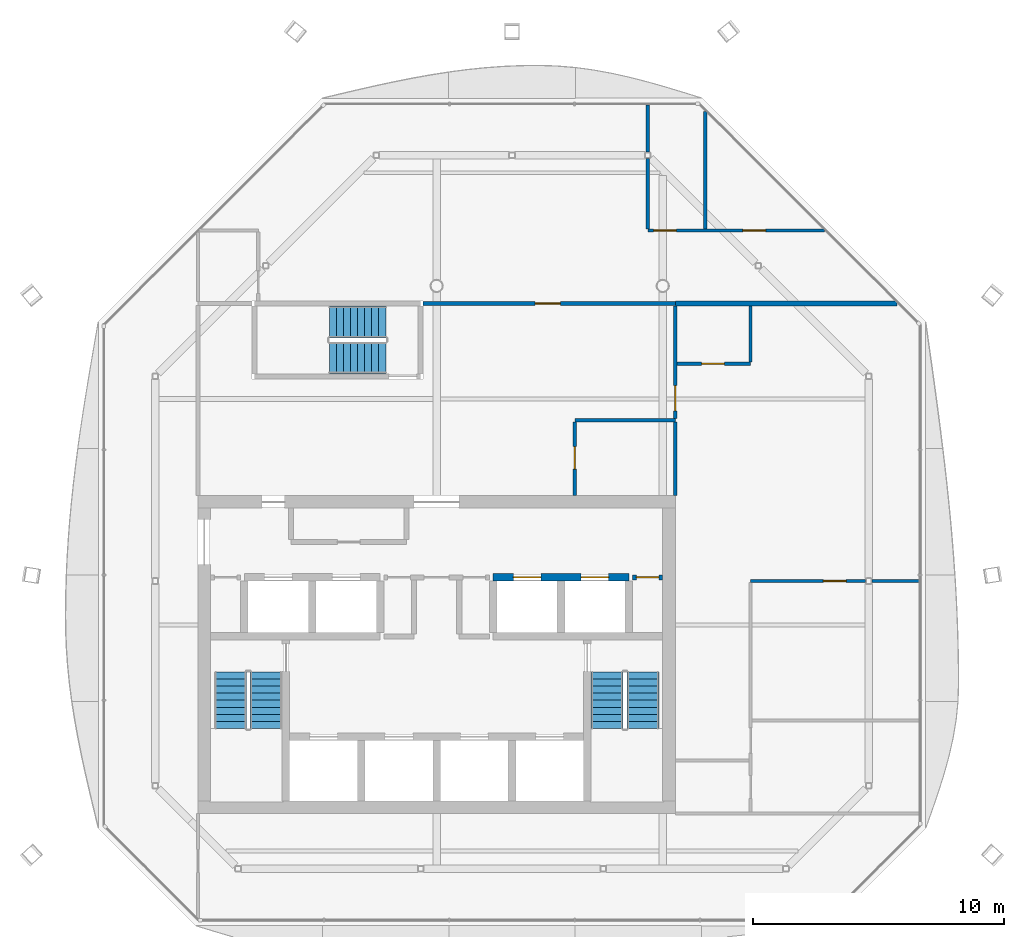
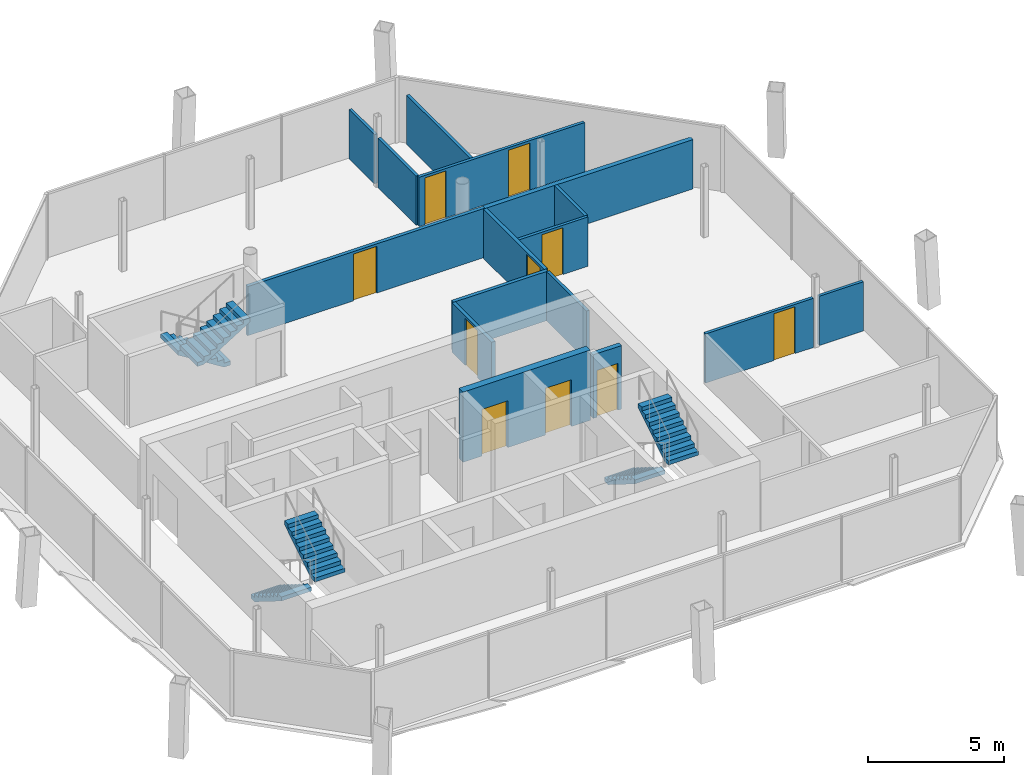
# One storey, part 11 of 14: 16 walls, 10 doors, 6 stair flights, 10 openings, 3 elements without a shape of their own.
"""IFC4 building model written with IfcOpenShell, lengths in metres."""

from ifc_helpers import new_model, si_unit, direction, frame, frame_2d, origin, place, context, subcontext, project, spatial, polyline, rectangle, outline, extrude, material, layer, layer_set, type_object, element, fill, aggregate, save


model = new_model("IFC4")

# Units and contexts
model_context = context("Model", 3, precision=1e-05, world=origin(), true_north=direction((0.0, 1.0)))
body_context = subcontext(model_context, "Body", "Model", "MODEL_VIEW")
ifc_project = project(units=[si_unit("LENGTHUNIT", "METRE"), si_unit("AREAUNIT", "SQUARE_METRE"), si_unit("VOLUMEUNIT", "CUBIC_METRE"), si_unit("PLANEANGLEUNIT", "RADIAN"), si_unit("MASSUNIT", "GRAM", prefix="KILO")], contexts=[model_context])

# Site, building, storey
site_placement = place(None, origin())
site = spatial("IfcSite", under=ifc_project, at=site_placement, CompositionType="ELEMENT")
building_placement = place(site_placement, origin())
building = spatial("IfcBuilding", under=site, at=building_placement, Name="Tskaro Facet Tower", CompositionType="ELEMENT")
storey_placement = place(building_placement, frame((0.0, 0.0, 272.10009765625)))
storey = spatial("IfcBuildingStorey", under=building, at=storey_placement, Name="L72", CompositionType="ELEMENT", Elevation=272.10009765625)

# Wall, openings, doors
ifc_material_1 = material(Name="Concrete C60/75", Category="concrete")
ifc_layer_1 = layer(ifc_material_1, 0.300048828125, Name="Concrete C60/75")
ifc_layer_set_1 = layer_set([ifc_layer_1], Name="Concrete C60/75")
wall_type_1 = type_object("IfcWallType", Name="CORE-SHAFT", PredefinedType="SHEAR", material=ifc_layer_set_1)
wall_1_placement = place(storey_placement, frame((2.25, -2.60009765625, 0.0), z_axis=(0.0, 0.0, 1.0), x_axis=(1.0, 0.0, 0.0)))
wall_1 = element("IfcWall", 1, at=wall_1_placement, inside=storey, type_object=wall_type_1, Name="Shaft wall W014", PredefinedType="SHEAR", context=body_context, shape_type="SweptSolid", body=[
    extrude(rectangle(XDim=5.39990234375, YDim=0.300048828125, at=frame_2d((2.699951171875, 0.0))), origin(), (0.0, 0.0, 1.0), 3.14990234375),
])
opening_1_placement = place(wall_1_placement, frame((0.800048828125, 0.0, 0.0)))
opening_1 = element("IfcOpeningElement", 2, at=opening_1_placement, cuts=wall_1, Name="Opening LD-HB3", PredefinedType="OPENING", context=body_context, shape_type="SweptSolid", body=[
    extrude(rectangle(XDim=1.10009765625, YDim=2.10009765625, at=frame_2d((0.550048828125, 1.050048828125))), frame((0.0, 0.159912109375, 0.0), z_axis=(0.0, -1.0, 0.0), x_axis=(1.0, 0.0, 0.0)), (0.0, 0.0, 1.0), 0.320068359375),
])
opening_2_placement = place(wall_1_placement, frame((3.5, 0.0, 0.0)))
opening_2 = element("IfcOpeningElement", 3, at=opening_2_placement, cuts=wall_1, Name="Opening LD-HB4", PredefinedType="OPENING", context=body_context, shape_type="SweptSolid", body=[
    extrude(rectangle(XDim=1.10009765625, YDim=2.10009765625, at=frame_2d((0.550048828125, 1.050048828125))), frame((0.0, 0.159912109375, 0.0), z_axis=(0.0, -1.0, 0.0), x_axis=(1.0, 0.0, 0.0)), (0.0, 0.0, 1.0), 0.320068359375),
])
ifc_material_2 = material(Name="Stainless steel", Category="steel")
door_type_1 = type_object("IfcDoorType", Name="D-LANDING", OperationType="NOTDEFINED", PredefinedType="DOOR", material=ifc_material_2)
door_1_placement = place(opening_1_placement, origin())
door_1 = element("IfcDoor", 4, at=door_1_placement, inside=storey, type_object=door_type_1, Name="Landing door HB3", OperationType="DOUBLE_DOOR_SLIDING", OverallHeight=2.10009765625, OverallWidth=1.10009765625, PredefinedType="DOOR", context=body_context, shape_type="SweptSolid", body=[
    extrude(rectangle(XDim=1.10009765625, YDim=2.10009765625, at=frame_2d((0.550048828125, 1.050048828125))), frame((0.0, 0.02490234375, 0.0), z_axis=(0.0, -1.0, 0.0), x_axis=(1.0, 0.0, 0.0)), (0.0, 0.0, 1.0), 0.050048828125),
])
fill(opening_1, door_1)
door_2_placement = place(opening_2_placement, origin())
door_2 = element("IfcDoor", 5, at=door_2_placement, inside=storey, type_object=door_type_1, Name="Landing door HB4", OperationType="DOUBLE_DOOR_SLIDING", OverallHeight=2.10009765625, OverallWidth=1.10009765625, PredefinedType="DOOR", context=body_context, shape_type="SweptSolid", body=[
    extrude(rectangle(XDim=1.10009765625, YDim=2.10009765625, at=frame_2d((0.550048828125, 1.050048828125))), frame((0.0, 0.02490234375, 0.0), z_axis=(0.0, -1.0, 0.0), x_axis=(1.0, 0.0, 0.0)), (0.0, 0.0, 1.0), 0.050048828125),
])
fill(opening_2, door_2)

# Wall, opening, door
ifc_material_3 = material(Name="Concrete C20/25", Category="concrete")
ifc_layer_2 = layer(ifc_material_3, 0.199951171875, Name="Concrete C20/25")
ifc_layer_set_2 = layer_set([ifc_layer_2], Name="Concrete C20/25")
wall_type_2 = type_object("IfcWallType", Name="CORE-WALL", PredefinedType="SOLIDWALL", material=ifc_layer_set_2)
wall_2_placement = place(storey_placement, frame((9.0, -2.60009765625, 0.0), z_axis=(0.0, 0.0, 1.0), x_axis=(-1.0, 0.0, 0.0)))
wall_2 = element("IfcWall", 6, at=wall_2_placement, inside=storey, type_object=wall_type_2, Name="Core room wall W015", PredefinedType="SOLIDWALL", context=body_context, shape_type="SweptSolid", body=[
    extrude(rectangle(XDim=1.199951171875, YDim=0.199951171875, at=frame_2d((0.60009765625, 0.0))), origin(), (0.0, 0.0, 1.0), 2.849853515625),
])
opening_3_placement = place(wall_2_placement, frame((0.14990234375, 0.0, 0.0)))
opening_3 = element("IfcOpeningElement", 7, at=opening_3_placement, cuts=wall_2, Name="Opening T21-D08", PredefinedType="OPENING", context=body_context, shape_type="SweptSolid", body=[
    extrude(rectangle(XDim=0.89990234375, YDim=2.10009765625, at=frame_2d((0.449951171875, 1.050048828125))), frame((0.0, 0.10986328125, 0.0), z_axis=(0.0, -1.0, 0.0), x_axis=(1.0, 0.0, 0.0)), (0.0, 0.0, 1.0), 0.219970703125),
])
ifc_material_4 = material(Name="Timber", Category="wood")
door_type_2 = type_object("IfcDoorType", Name="D-ROOM", OperationType="NOTDEFINED", PredefinedType="DOOR", material=ifc_material_4)
door_3_placement = place(opening_3_placement, origin())
door_3 = element("IfcDoor", 8, at=door_3_placement, inside=storey, type_object=door_type_2, Name="Door T21-D08", OperationType="SINGLE_SWING_RIGHT", OverallHeight=2.10009765625, OverallWidth=0.89990234375, PredefinedType="DOOR", context=body_context, shape_type="SweptSolid", body=[
    extrude(rectangle(XDim=0.89990234375, YDim=2.10009765625, at=frame_2d((0.449951171875, 1.050048828125))), frame((0.0, 0.02490234375, 0.0), z_axis=(0.0, -1.0, 0.0), x_axis=(1.0, 0.0, 0.0)), (0.0, 0.0, 1.0), 0.050048828125),
])
fill(opening_3, door_3)

ifc_material_5 = material(Name="Gypsum board on steel studs", Category="steel")
ifc_layer_3 = layer(ifc_material_5, 0.125, Name="Gypsum board on steel studs")
ifc_layer_set_3 = layer_set([ifc_layer_3], Name="Gypsum board on steel studs")
wall_type_3 = type_object("IfcWallType", Name="PART", PredefinedType="PARTITIONING", material=ifc_layer_set_3)
wall_3_placement = place(storey_placement, frame((17.074951171875, -2.75, 0.0), z_axis=(0.0, 0.0, 1.0), x_axis=(-1.0, 0.0, 0.0)))
wall_3 = element("IfcWall", 9, at=wall_3_placement, inside=storey, type_object=wall_type_3, Name="Partition W009", PredefinedType="PARTITIONING", context=body_context, shape_type="SweptSolid", body=[
    extrude(rectangle(XDim=4.574951171875, YDim=0.125, at=frame_2d((2.28759765625, 0.0))), origin(), (0.0, 0.0, 1.0), 2.2099609375),
])
opening_4_placement = place(wall_3_placement, frame((0.777587890625, 0.0, 0.0)))
opening_4 = element("IfcOpeningElement", 10, at=opening_4_placement, cuts=wall_3, Name="Opening T21-D04", PredefinedType="OPENING", context=body_context, shape_type="SweptSolid", body=[
    extrude(rectangle(XDim=0.89990234375, YDim=2.10009765625, at=frame_2d((0.449951171875, 1.050048828125))), frame((0.0, 0.072509765625, 0.0), z_axis=(0.0, -1.0, 0.0), x_axis=(1.0, 0.0, 0.0)), (0.0, 0.0, 1.0), 0.14501953125),
])
door_4_placement = place(opening_4_placement, origin())
door_4 = element("IfcDoor", 11, at=door_4_placement, inside=storey, type_object=door_type_2, Name="Door T21-D04", OperationType="SINGLE_SWING_RIGHT", OverallHeight=2.10009765625, OverallWidth=0.89990234375, PredefinedType="DOOR", context=body_context, shape_type="SweptSolid", body=[
    extrude(rectangle(XDim=0.89990234375, YDim=2.10009765625, at=frame_2d((0.449951171875, 1.050048828125))), frame((0.0, 0.02490234375, 0.0), z_axis=(0.0, -1.0, 0.0), x_axis=(1.0, 0.0, 0.0)), (0.0, 0.0, 1.0), 0.050048828125),
])
fill(opening_4, door_4)

# Wall
wall_4_placement = place(storey_placement, frame((17.324951171875, -2.75, 0.0), z_axis=(0.0, 0.0, 1.0), x_axis=(1.0, 0.0, 0.0)))
element("IfcWall", 12, at=wall_4_placement, inside=storey, type_object=wall_type_3, Name="Partition W010", PredefinedType="PARTITIONING", context=body_context, shape_type="SweptSolid", body=[
    extrude(rectangle(XDim=1.8701171875, YDim=0.125, at=frame_2d((0.93505859375, 0.0))), origin(), (0.0, 0.0, 1.0), 2.2099609375),
])

# Wall, opening, door
wall_5_placement = place(storey_placement, frame((9.574951171875, 5.89990234375, 0.0), z_axis=(0.0, 0.0, 1.0), x_axis=(1.0, 0.0, 0.0)))
wall_5 = element("IfcWall", 13, at=wall_5_placement, inside=storey, type_object=wall_type_3, Name="Partition W019", PredefinedType="PARTITIONING", context=body_context, shape_type="SweptSolid", body=[
    extrude(rectangle(XDim=2.925048828125, YDim=0.125, at=frame_2d((1.46240234375, 0.0))), origin(), (0.0, 0.0, 1.0), 2.2099609375),
])
opening_5_placement = place(wall_5_placement, frame((0.97509765625, 0.0, 0.0)))
opening_5 = element("IfcOpeningElement", 14, at=opening_5_placement, cuts=wall_5, Name="Opening T21-D15", PredefinedType="OPENING", context=body_context, shape_type="SweptSolid", body=[
    extrude(rectangle(XDim=0.89990234375, YDim=2.10009765625, at=frame_2d((0.449951171875, 1.050048828125))), frame((0.0, 0.072509765625, 0.0), z_axis=(0.0, -1.0, 0.0), x_axis=(1.0, 0.0, 0.0)), (0.0, 0.0, 1.0), 0.14501953125),
])
door_5_placement = place(opening_5_placement, origin())
door_5 = element("IfcDoor", 15, at=door_5_placement, inside=storey, type_object=door_type_2, Name="Door T21-D15", OperationType="SINGLE_SWING_LEFT", OverallHeight=2.10009765625, OverallWidth=0.89990234375, PredefinedType="DOOR", context=body_context, shape_type="SweptSolid", body=[
    extrude(rectangle(XDim=0.89990234375, YDim=2.10009765625, at=frame_2d((0.449951171875, 1.050048828125))), frame((0.0, 0.02490234375, 0.0), z_axis=(0.0, -1.0, 0.0), x_axis=(1.0, 0.0, 0.0)), (0.0, 0.0, 1.0), 0.050048828125),
])
fill(opening_5, door_5)

# Wall, openings, doors
wall_6_placement = place(storey_placement, frame((8.405029296875, 11.199951171875, 0.0), z_axis=(0.0, 0.0, 1.0), x_axis=(1.0, 0.0, 0.0)))
wall_6 = element("IfcWall", 16, at=wall_6_placement, inside=storey, type_object=wall_type_3, Name="Partition W025", PredefinedType="PARTITIONING", context=body_context, shape_type="SweptSolid", body=[
    extrude(rectangle(XDim=7.028076171875, YDim=0.125, at=frame_2d((3.51416015625, 0.0))), origin(), (0.0, 0.0, 1.0), 2.2099609375),
])
opening_6_placement = place(wall_6_placement, frame((3.7900390625, 0.0, 0.0)))
opening_6 = element("IfcOpeningElement", 17, at=opening_6_placement, cuts=wall_6, Name="Opening T21-D19", PredefinedType="OPENING", context=body_context, shape_type="SweptSolid", body=[
    extrude(rectangle(XDim=0.89990234375, YDim=2.10009765625, at=frame_2d((0.449951171875, 1.050048828125))), frame((0.0, 0.072509765625, 0.0), z_axis=(0.0, -1.0, 0.0), x_axis=(1.0, 0.0, 0.0)), (0.0, 0.0, 1.0), 0.14501953125),
])
opening_7_placement = place(wall_6_placement, frame((0.237548828125, 0.0, 0.0)))
opening_7 = element("IfcOpeningElement", 18, at=opening_7_placement, cuts=wall_6, Name="Opening T21-D18", PredefinedType="OPENING", context=body_context, shape_type="SweptSolid", body=[
    extrude(rectangle(XDim=0.89990234375, YDim=2.10009765625, at=frame_2d((0.449951171875, 1.050048828125))), frame((0.0, 0.072509765625, 0.0), z_axis=(0.0, -1.0, 0.0), x_axis=(1.0, 0.0, 0.0)), (0.0, 0.0, 1.0), 0.14501953125),
])
door_6_placement = place(opening_6_placement, origin())
door_6 = element("IfcDoor", 19, at=door_6_placement, inside=storey, type_object=door_type_2, Name="Door T21-D19", OperationType="SINGLE_SWING_LEFT", OverallHeight=2.10009765625, OverallWidth=0.89990234375, PredefinedType="DOOR", context=body_context, shape_type="SweptSolid", body=[
    extrude(rectangle(XDim=0.89990234375, YDim=2.10009765625, at=frame_2d((0.449951171875, 1.050048828125))), frame((0.0, 0.02490234375, 0.0), z_axis=(0.0, -1.0, 0.0), x_axis=(1.0, 0.0, 0.0)), (0.0, 0.0, 1.0), 0.050048828125),
])
fill(opening_6, door_6)
door_7_placement = place(opening_7_placement, origin())
door_7 = element("IfcDoor", 20, at=door_7_placement, inside=storey, type_object=door_type_2, Name="Door T21-D18", OperationType="SINGLE_SWING_LEFT", OverallHeight=2.10009765625, OverallWidth=0.89990234375, PredefinedType="DOOR", context=body_context, shape_type="SweptSolid", body=[
    extrude(rectangle(XDim=0.89990234375, YDim=2.10009765625, at=frame_2d((0.449951171875, 1.050048828125))), frame((0.0, 0.02490234375, 0.0), z_axis=(0.0, -1.0, 0.0), x_axis=(1.0, 0.0, 0.0)), (0.0, 0.0, 1.0), 0.050048828125),
])
fill(opening_7, door_7)

# Walls
wall_7_placement = place(storey_placement, frame((8.405029296875, 11.262451171875, 0.0), z_axis=(0.0, 0.0, 1.0), x_axis=(0.0, 1.0, 0.0)))
element("IfcWall", 21, at=wall_7_placement, inside=storey, type_object=wall_type_3, Name="Partition W048", PredefinedType="PARTITIONING", context=body_context, shape_type="SweptSolid", body=[
    extrude(rectangle(XDim=2.8125, YDim=0.125, at=frame_2d((1.40625, 0.0))), origin(), (0.0, 0.0, 1.0), 2.2099609375),
])
wall_8_placement = place(storey_placement, frame((8.405029296875, 14.324951171875, 0.0), z_axis=(0.0, 0.0, 1.0), x_axis=(0.0, 1.0, 0.0)))
element("IfcWall", 22, at=wall_8_placement, inside=storey, type_object=wall_type_3, Name="Partition W049", PredefinedType="PARTITIONING", context=body_context, shape_type="SweptSolid", body=[
    extrude(rectangle(XDim=1.8701171875, YDim=0.125, at=frame_2d((0.93505859375, 0.0))), origin(), (0.0, 0.0, 1.0), 2.2099609375),
])
wall_9_placement = place(storey_placement, frame((9.5, 0.64990234375, 0.0), z_axis=(0.0, 0.0, 1.0), x_axis=(0.0, 1.0, 0.0)))
element("IfcWall", 23, at=wall_9_placement, inside=storey, type_object=wall_type_3, Name="Partition W050", PredefinedType="PARTITIONING", context=body_context, shape_type="SweptSolid", body=[
    extrude(rectangle(XDim=2.925048828125, YDim=0.125, at=frame_2d((1.46240234375, 0.0))), origin(), (0.0, 0.0, 1.0), 2.2099609375),
])
wall_10_placement = place(storey_placement, frame((10.695068359375, 11.262451171875, 0.0), z_axis=(0.0, 0.0, 1.0), x_axis=(0.0, 1.0, 0.0)))
element("IfcWall", 24, at=wall_10_placement, inside=storey, type_object=wall_type_3, Name="Partition W052", PredefinedType="PARTITIONING", context=body_context, shape_type="SweptSolid", body=[
    extrude(rectangle(XDim=4.675537109375, YDim=0.125, at=frame_2d((2.337890625, 0.0))), origin(), (0.0, 0.0, 1.0), 2.2099609375),
])
wall_11_placement = place(storey_placement, frame((12.5, 5.96240234375, 0.0), z_axis=(0.0, 0.0, 1.0), x_axis=(0.0, 1.0, 0.0)))
element("IfcWall", 25, at=wall_11_placement, inside=storey, type_object=wall_type_3, Name="Partition W054", PredefinedType="PARTITIONING", context=body_context, shape_type="SweptSolid", body=[
    extrude(rectangle(XDim=2.237548828125, YDim=0.125, at=frame_2d((1.11865234375, 0.0))), origin(), (0.0, 0.0, 1.0), 2.2099609375),
])
ifc_layer_4 = layer(ifc_material_5, 0.14990234375, Name="Gypsum board on steel studs")
ifc_layer_set_4 = layer_set([ifc_layer_4], Name="Gypsum board on steel studs")
wall_type_4 = type_object("IfcWallType", Name="PART-CORR", PredefinedType="PARTITIONING", material=ifc_layer_set_4)
wall_12_placement = place(storey_placement, frame((5.5, 3.64990234375, 0.0), z_axis=(0.0, 0.0, 1.0), x_axis=(1.0, 0.0, 0.0)))
element("IfcWall", 26, at=wall_12_placement, inside=storey, type_object=wall_type_4, Name="Corridor wall W017", PredefinedType="PARTITIONING", context=body_context, shape_type="SweptSolid", body=[
    extrude(rectangle(XDim=4.0, YDim=0.14990234375, at=frame_2d((2.0, 0.0))), origin(), (0.0, 0.0, 1.0), 2.2099609375),
])

# Wall, opening, door
wall_13_placement = place(storey_placement, frame((-0.550048828125, 8.300048828125, 0.0), z_axis=(0.0, 0.0, 1.0), x_axis=(1.0, 0.0, 0.0)))
wall_13 = element("IfcWall", 27, at=wall_13_placement, inside=storey, type_object=wall_type_4, Name="Corridor wall W022", PredefinedType="PARTITIONING", context=body_context, shape_type="SweptSolid", body=[
    extrude(rectangle(XDim=10.050048828125, YDim=0.14990234375, at=frame_2d((5.02490234375, 0.0))), origin(), (0.0, 0.0, 1.0), 2.2099609375),
])
opening_8_placement = place(wall_13_placement, frame((4.47509765625, 0.0, 0.0)))
opening_8 = element("IfcOpeningElement", 28, at=opening_8_placement, cuts=wall_13, Name="Opening T21-D16", PredefinedType="OPENING", context=body_context, shape_type="SweptSolid", body=[
    extrude(rectangle(XDim=1.0, YDim=2.10009765625, at=frame_2d((0.5, 1.050048828125))), frame((0.0, 0.0849609375, 0.0), z_axis=(0.0, -1.0, 0.0), x_axis=(1.0, 0.0, 0.0)), (0.0, 0.0, 1.0), 0.169921875),
])
door_type_3 = type_object("IfcDoorType", Name="D-FLAT-ENTRY", OperationType="NOTDEFINED", PredefinedType="DOOR", material=ifc_material_4)
door_8_placement = place(opening_8_placement, origin())
door_8 = element("IfcDoor", 29, at=door_8_placement, inside=storey, type_object=door_type_3, Name="Door T21-D16", OperationType="SINGLE_SWING_LEFT", OverallHeight=2.10009765625, OverallWidth=1.0, PredefinedType="DOOR", context=body_context, shape_type="SweptSolid", body=[
    extrude(rectangle(XDim=1.0, YDim=2.10009765625, at=frame_2d((0.5, 1.050048828125))), frame((0.0, 0.02490234375, 0.0), z_axis=(0.0, -1.0, 0.0), x_axis=(1.0, 0.0, 0.0)), (0.0, 0.0, 1.0), 0.050048828125),
])
fill(opening_8, door_8)

wall_14_placement = place(storey_placement, frame((5.5, 3.574951171875, 0.0), z_axis=(0.0, 0.0, 1.0), x_axis=(0.0, -1.0, 0.0)))
wall_14 = element("IfcWall", 30, at=wall_14_placement, inside=storey, type_object=wall_type_4, Name="Corridor wall W045", PredefinedType="PARTITIONING", context=body_context, shape_type="SweptSolid", body=[
    extrude(rectangle(XDim=2.925048828125, YDim=0.14990234375, at=frame_2d((1.46240234375, 0.0))), origin(), (0.0, 0.0, 1.0), 2.2099609375),
])
opening_9_placement = place(wall_14_placement, frame((0.97509765625, 0.0, 0.0)))
opening_9 = element("IfcOpeningElement", 31, at=opening_9_placement, cuts=wall_14, Name="Opening T21-D13", PredefinedType="OPENING", context=body_context, shape_type="SweptSolid", body=[
    extrude(rectangle(XDim=0.89990234375, YDim=2.10009765625, at=frame_2d((0.449951171875, 1.050048828125))), frame((0.0, 0.0849609375, 0.0), z_axis=(0.0, -1.0, 0.0), x_axis=(1.0, 0.0, 0.0)), (0.0, 0.0, 1.0), 0.169921875),
])
door_9_placement = place(opening_9_placement, origin())
door_9 = element("IfcDoor", 32, at=door_9_placement, inside=storey, type_object=door_type_2, Name="Door T21-D13", OperationType="SINGLE_SWING_RIGHT", OverallHeight=2.10009765625, OverallWidth=0.89990234375, PredefinedType="DOOR", context=body_context, shape_type="SweptSolid", body=[
    extrude(rectangle(XDim=0.89990234375, YDim=2.10009765625, at=frame_2d((0.449951171875, 1.050048828125))), frame((0.0, 0.02490234375, 0.0), z_axis=(0.0, -1.0, 0.0), x_axis=(1.0, 0.0, 0.0)), (0.0, 0.0, 1.0), 0.050048828125),
])
fill(opening_9, door_9)

wall_15_placement = place(storey_placement, frame((9.5, 8.199951171875, 0.0), z_axis=(0.0, 0.0, 1.0), x_axis=(0.0, -1.0, 0.0)))
wall_15 = element("IfcWall", 33, at=wall_15_placement, inside=storey, type_object=wall_type_4, Name="Corridor wall W051", PredefinedType="PARTITIONING", context=body_context, shape_type="SweptSolid", body=[
    extrude(rectangle(XDim=4.474853515625, YDim=0.14990234375, at=frame_2d((2.2373046875, 0.0))), origin(), (0.0, 0.0, 1.0), 2.2099609375),
])
opening_10_placement = place(wall_15_placement, frame((3.175048828125, 0.0, 0.0)))
opening_10 = element("IfcOpeningElement", 34, at=opening_10_placement, cuts=wall_15, Name="Opening T21-D14", PredefinedType="OPENING", context=body_context, shape_type="SweptSolid", body=[
    extrude(rectangle(XDim=1.0, YDim=2.10009765625, at=frame_2d((0.5, 1.050048828125))), frame((0.0, 0.0849609375, 0.0), z_axis=(0.0, -1.0, 0.0), x_axis=(1.0, 0.0, 0.0)), (0.0, 0.0, 1.0), 0.169921875),
])
door_10_placement = place(opening_10_placement, origin())
door_10 = element("IfcDoor", 35, at=door_10_placement, inside=storey, type_object=door_type_3, Name="Door T21-D14", OperationType="SINGLE_SWING_LEFT", OverallHeight=2.10009765625, OverallWidth=1.0, PredefinedType="DOOR", context=body_context, shape_type="SweptSolid", body=[
    extrude(rectangle(XDim=1.0, YDim=2.10009765625, at=frame_2d((0.5, 1.050048828125))), frame((0.0, 0.02490234375, 0.0), z_axis=(0.0, -1.0, 0.0), x_axis=(1.0, 0.0, 0.0)), (0.0, 0.0, 1.0), 0.050048828125),
])
fill(opening_10, door_10)

# Wall
ifc_layer_5 = layer(ifc_material_5, 0.199951171875, Name="Gypsum board on steel studs")
ifc_layer_set_5 = layer_set([ifc_layer_5], Name="Gypsum board on steel studs")
wall_type_5 = type_object("IfcWallType", Name="PART-DEMISING", PredefinedType="PARTITIONING", material=ifc_layer_set_5)
wall_16_placement = place(storey_placement, frame((9.5, 8.300048828125, 0.0), z_axis=(0.0, 0.0, 1.0), x_axis=(1.0, 0.0, 0.0)))
element("IfcWall", 36, at=wall_16_placement, inside=storey, type_object=wall_type_5, Name="Guest room wall W023", PredefinedType="PARTITIONING", context=body_context, shape_type="SweptSolid", body=[
    extrude(rectangle(XDim=8.8330078125, YDim=0.199951171875, at=frame_2d((4.41650390625, 0.0))), origin(), (0.0, 0.0, 1.0), 2.2099609375),
])

# Stair, stair flights
ifc_material_6 = material(Name="Concrete C40/50", Category="concrete")
stair_type = type_object("IfcStairType", Name="ST-TWR", PredefinedType="HALF_TURN_STAIR", material=ifc_material_6)
stair_1_placement = place(storey_placement, origin())
stair_1 = element("IfcStair", 37, at=stair_1_placement, inside=storey, type_object=stair_type, Name="L72 Exit stair 1", PredefinedType="HALF_TURN_STAIR")
stair_flight_type = type_object("IfcStairFlightType", Name="SFL-RC", PredefinedType="STRAIGHT", material=ifc_material_6)
stair_flight_1_placement = place(storey_placement, frame((-8.21240234375, -6.375, 0.0), z_axis=(0.0, 0.0, 1.0), x_axis=(0.0, -1.0, 0.0)))
stair_flight_1 = element("IfcStairFlight", 38, at=stair_flight_1_placement, type_object=stair_flight_type, Name="ST-1 flight 1", NumberOfRisers=9, NumberOfTreads=8, PredefinedType="STRAIGHT", RiserHeight=0.175, TreadLength=0.28, context=body_context, shape_type="SweptSolid", body=[
    extrude(outline(polyline([(0.0, 0.0), (0.0, 0.175048828125), (0.280029296875, 0.175048828125), (0.280029296875, 0.35009765625), (0.56005859375, 0.35009765625), (0.56005859375, 0.52490234375), (0.840087890625, 0.52490234375), (0.840087890625, 0.699951171875), (1.1201171875, 0.699951171875), (1.1201171875, 0.875), (1.39990234375, 0.875), (1.39990234375, 1.050048828125), (1.679931640625, 1.050048828125), (1.679931640625, 1.22509765625), (1.9599609375, 1.22509765625), (1.9599609375, 1.39990234375), (2.239990234375, 1.39990234375), (2.239990234375, 1.574951171875), (2.239990234375, 1.22314453125), (0.28271484375, 0.0), (0.0, 0.0)])), frame((0.0, 0.637451171875, 0.0), z_axis=(0.0, -1.0, 0.0), x_axis=(1.0, 0.0, 0.0)), (0.0, 0.0, 1.0), 1.27490234375),
])
stair_flight_2_placement = place(storey_placement, frame((-6.78759765625, -8.614990234375, 1.574951171875), z_axis=(0.0, 0.0, 1.0), x_axis=(0.0, 1.0, 0.0)))
stair_flight_2 = element("IfcStairFlight", 39, at=stair_flight_2_placement, type_object=stair_flight_type, Name="ST-1 flight 2", NumberOfRisers=9, NumberOfTreads=8, PredefinedType="STRAIGHT", RiserHeight=0.175, TreadLength=0.28, context=body_context, shape_type="SweptSolid", body=[
    extrude(outline(polyline([(0.0, 0.0), (0.0, 0.175048828125), (0.280029296875, 0.175048828125), (0.280029296875, 0.35009765625), (0.56005859375, 0.35009765625), (0.56005859375, 0.52490234375), (0.840087890625, 0.52490234375), (0.840087890625, 0.699951171875), (1.1201171875, 0.699951171875), (1.1201171875, 0.875), (1.39990234375, 0.875), (1.39990234375, 1.050048828125), (1.679931640625, 1.050048828125), (1.679931640625, 1.22509765625), (1.9599609375, 1.22509765625), (1.9599609375, 1.39990234375), (2.239990234375, 1.39990234375), (2.239990234375, 1.574951171875), (2.239990234375, 1.22314453125), (0.28271484375, 0.0), (0.0, 0.0)])), frame((0.0, 0.637451171875, 0.0), z_axis=(0.0, -1.0, 0.0), x_axis=(1.0, 0.0, 0.0)), (0.0, 0.0, 1.0), 1.27490234375),
])
aggregate(stair_1, [stair_flight_1, stair_flight_2])

stair_2_placement = place(storey_placement, origin())
stair_2 = element("IfcStair", 40, at=stair_2_placement, inside=storey, type_object=stair_type, Name="L72 Exit stair 2", PredefinedType="HALF_TURN_STAIR")
stair_flight_3_placement = place(storey_placement, frame((6.78759765625, -6.375, 0.0), z_axis=(0.0, 0.0, 1.0), x_axis=(0.0, -1.0, 0.0)))
stair_flight_3 = element("IfcStairFlight", 41, at=stair_flight_3_placement, type_object=stair_flight_type, Name="ST-2 flight 1", NumberOfRisers=9, NumberOfTreads=8, PredefinedType="STRAIGHT", RiserHeight=0.175, TreadLength=0.28, context=body_context, shape_type="SweptSolid", body=[
    extrude(outline(polyline([(0.0, 0.0), (0.0, 0.175048828125), (0.280029296875, 0.175048828125), (0.280029296875, 0.35009765625), (0.56005859375, 0.35009765625), (0.56005859375, 0.52490234375), (0.840087890625, 0.52490234375), (0.840087890625, 0.699951171875), (1.1201171875, 0.699951171875), (1.1201171875, 0.875), (1.39990234375, 0.875), (1.39990234375, 1.050048828125), (1.679931640625, 1.050048828125), (1.679931640625, 1.22509765625), (1.9599609375, 1.22509765625), (1.9599609375, 1.39990234375), (2.239990234375, 1.39990234375), (2.239990234375, 1.574951171875), (2.239990234375, 1.22314453125), (0.28271484375, 0.0), (0.0, 0.0)])), frame((0.0, 0.637451171875, 0.0), z_axis=(0.0, -1.0, 0.0), x_axis=(1.0, 0.0, 0.0)), (0.0, 0.0, 1.0), 1.27490234375),
])
stair_flight_4_placement = place(storey_placement, frame((8.21240234375, -8.614990234375, 1.574951171875), z_axis=(0.0, 0.0, 1.0), x_axis=(0.0, 1.0, 0.0)))
stair_flight_4 = element("IfcStairFlight", 42, at=stair_flight_4_placement, type_object=stair_flight_type, Name="ST-2 flight 2", NumberOfRisers=9, NumberOfTreads=8, PredefinedType="STRAIGHT", RiserHeight=0.175, TreadLength=0.28, context=body_context, shape_type="SweptSolid", body=[
    extrude(outline(polyline([(0.0, 0.0), (0.0, 0.175048828125), (0.280029296875, 0.175048828125), (0.280029296875, 0.35009765625), (0.56005859375, 0.35009765625), (0.56005859375, 0.52490234375), (0.840087890625, 0.52490234375), (0.840087890625, 0.699951171875), (1.1201171875, 0.699951171875), (1.1201171875, 0.875), (1.39990234375, 0.875), (1.39990234375, 1.050048828125), (1.679931640625, 1.050048828125), (1.679931640625, 1.22509765625), (1.9599609375, 1.22509765625), (1.9599609375, 1.39990234375), (2.239990234375, 1.39990234375), (2.239990234375, 1.574951171875), (2.239990234375, 1.22314453125), (0.28271484375, 0.0), (0.0, 0.0)])), frame((0.0, 0.637451171875, 0.0), z_axis=(0.0, -1.0, 0.0), x_axis=(1.0, 0.0, 0.0)), (0.0, 0.0, 1.0), 1.27490234375),
])
aggregate(stair_2, [stair_flight_3, stair_flight_4])

stair_3_placement = place(storey_placement, origin())
stair_3 = element("IfcStair", 43, at=stair_3_placement, inside=storey, type_object=stair_type, Name="L72 Exit stair 3", PredefinedType="HALF_TURN_STAIR")
stair_flight_5_placement = place(storey_placement, frame((-2.02490234375, 7.5625, 0.0), z_axis=(0.0, 0.0, 1.0), x_axis=(-1.0, 0.0, 0.0)))
stair_flight_5 = element("IfcStairFlight", 44, at=stair_flight_5_placement, type_object=stair_flight_type, Name="ST-3 flight 1", NumberOfRisers=9, NumberOfTreads=8, PredefinedType="STRAIGHT", RiserHeight=0.175, TreadLength=0.28, context=body_context, shape_type="SweptSolid", body=[
    extrude(outline(polyline([(0.0, 0.0), (0.0, 0.175048828125), (0.280029296875, 0.175048828125), (0.280029296875, 0.35009765625), (0.56005859375, 0.35009765625), (0.56005859375, 0.52490234375), (0.840087890625, 0.52490234375), (0.840087890625, 0.699951171875), (1.1201171875, 0.699951171875), (1.1201171875, 0.875), (1.39990234375, 0.875), (1.39990234375, 1.050048828125), (1.679931640625, 1.050048828125), (1.679931640625, 1.22509765625), (1.9599609375, 1.22509765625), (1.9599609375, 1.39990234375), (2.239990234375, 1.39990234375), (2.239990234375, 1.574951171875), (2.239990234375, 1.22314453125), (0.28271484375, 0.0), (0.0, 0.0)])), frame((0.0, 0.637451171875, 0.0), z_axis=(0.0, -1.0, 0.0), x_axis=(1.0, 0.0, 0.0)), (0.0, 0.0, 1.0), 1.27490234375),
])
stair_flight_6_placement = place(storey_placement, frame((-4.264892578125, 6.137451171875, 1.574951171875), z_axis=(0.0, 0.0, 1.0), x_axis=(1.0, 0.0, 0.0)))
stair_flight_6 = element("IfcStairFlight", 45, at=stair_flight_6_placement, type_object=stair_flight_type, Name="ST-3 flight 2", NumberOfRisers=9, NumberOfTreads=8, PredefinedType="STRAIGHT", RiserHeight=0.175, TreadLength=0.28, context=body_context, shape_type="SweptSolid", body=[
    extrude(outline(polyline([(0.0, 0.0), (0.0, 0.175048828125), (0.280029296875, 0.175048828125), (0.280029296875, 0.35009765625), (0.56005859375, 0.35009765625), (0.56005859375, 0.52490234375), (0.840087890625, 0.52490234375), (0.840087890625, 0.699951171875), (1.1201171875, 0.699951171875), (1.1201171875, 0.875), (1.39990234375, 0.875), (1.39990234375, 1.050048828125), (1.679931640625, 1.050048828125), (1.679931640625, 1.22509765625), (1.9599609375, 1.22509765625), (1.9599609375, 1.39990234375), (2.239990234375, 1.39990234375), (2.239990234375, 1.574951171875), (2.239990234375, 1.22314453125), (0.28271484375, 0.0), (0.0, 0.0)])), frame((0.0, 0.637451171875, 0.0), z_axis=(0.0, -1.0, 0.0), x_axis=(1.0, 0.0, 0.0)), (0.0, 0.0, 1.0), 1.27490234375),
])
aggregate(stair_3, [stair_flight_5, stair_flight_6])

save(model, "model.ifc")
